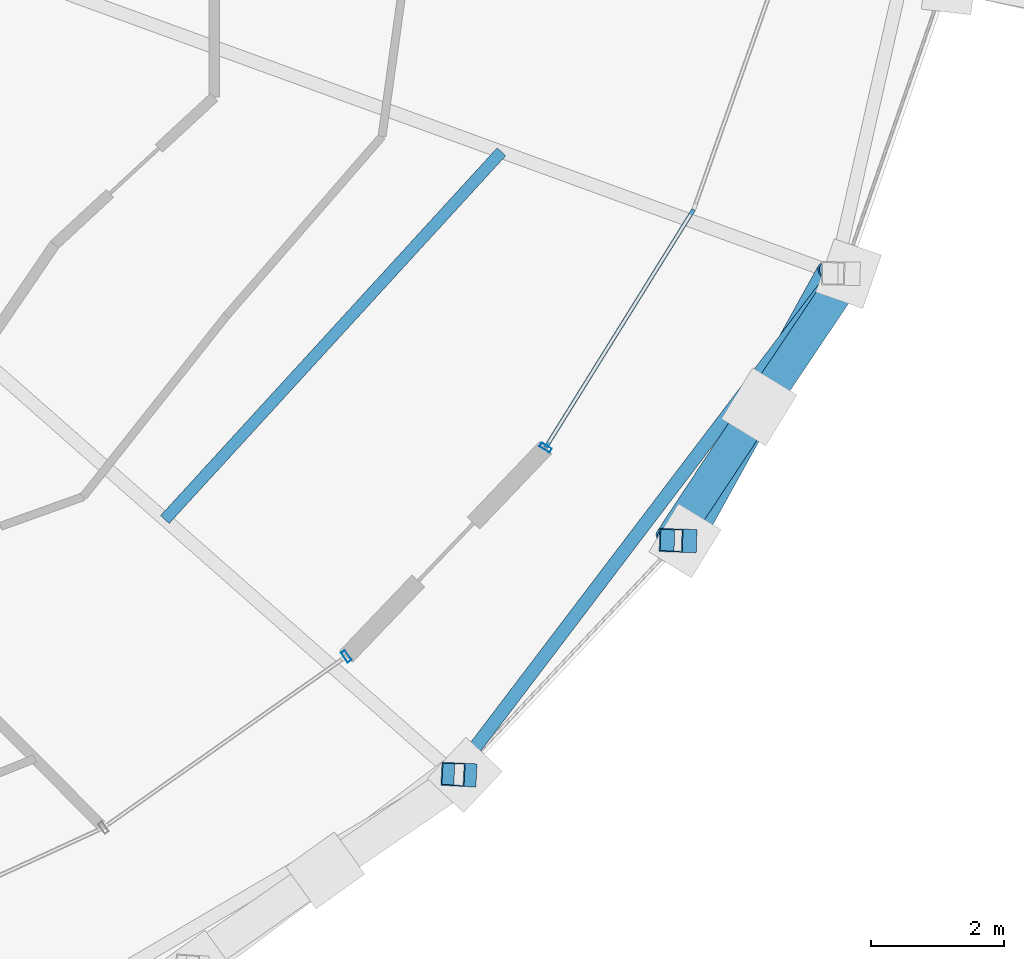
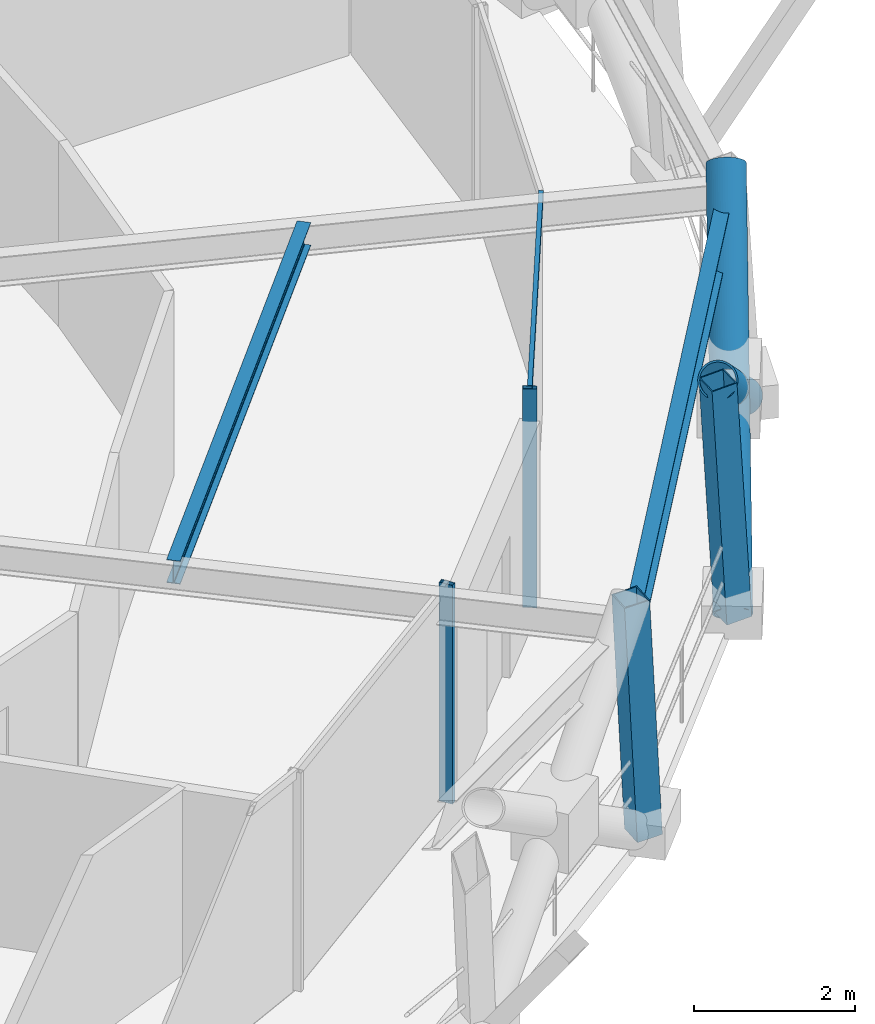
# One storey, part 6 of 17: 8 members, 2 beams, 2 elements without a shape of their own.
"""IFC4 building model written with IfcOpenShell, lengths in metres."""

import ifcopenshell
import ifcopenshell.guid

model = None  # the IFC model being written
_history = None  # IfcOwnerHistory: only IFC2X3 demands one
_inside = {}  # id of a spatial element -> (the spatial element, [elements in it])
_under = {}  # id of a project, library or spatial element -> (it, [spatial elements below it])
_declared = {}  # id of a project -> (the project, [libraries it declares])
_typed = {}  # id of a type object -> (the type object, [elements of that type])
_made_of = {}  # id of a material, layer set ... -> (it, [elements and type objects made of it])


def new_model(schema):
    """Start an empty IFC model of exactly this schema.

    Asked for "IFC4X3", IfcOpenShell would pick the latest addendum, in which some entities
    have other attributes; the version numbers below select the first issue.
    IFC2X3 requires an IfcOwnerHistory on every rooted entity: one is made here for all.
    """
    global model, _history
    if schema == "IFC4X3":
        model = ifcopenshell.file(schema_version=(4, 3, 0, 0))
    else:
        model = ifcopenshell.file(schema=schema)
    _inside.clear()
    _under.clear()
    _declared.clear()
    _typed.clear()
    _made_of.clear()
    _history = None
    if model.schema == "IFC2X3":
        org = make("IfcOrganization", Name="unknown")
        user = make(
            "IfcPersonAndOrganization",
            ThePerson=make("IfcPerson", FamilyName="unknown"),
            TheOrganization=org,
        )
        app = make(
            "IfcApplication",
            ApplicationDeveloper=org,
            Version="unknown",
            ApplicationFullName="unknown",
            ApplicationIdentifier="unknown",
        )
        _history = make(
            "IfcOwnerHistory",
            OwningUser=user,
            OwningApplication=app,
            ChangeAction="ADDED",
            CreationDate=0,
        )
    return model


def make(cls, **values):
    """One entity of the class cls with the attributes given. An attribute that is None is left unset."""
    return model.create_entity(
        cls, **{name: value for name, value in values.items() if value is not None}
    )


def rooted(cls, **values):
    """An entity with a GlobalId (a new one), such as an element, a storey or a relation."""
    return make(cls, GlobalId=ifcopenshell.guid.new(), OwnerHistory=_history, **values)


def si_unit(unit_type, name, prefix=None):
    """IfcSIUnit, for example si_unit("LENGTHUNIT", "METRE", prefix="MILLI")."""
    return make("IfcSIUnit", UnitType=unit_type, Prefix=prefix, Name=name)


def assignment(units):
    """IfcUnitAssignment: the units of a project."""
    return None if units is None else make("IfcUnitAssignment", Units=units)


def point(xyz):
    """IfcCartesianPoint."""
    return None if xyz is None else make("IfcCartesianPoint", Coordinates=xyz)


def direction(xyz):
    """IfcDirection."""
    return None if xyz is None else make("IfcDirection", DirectionRatios=xyz)


def frame(location, z_axis=None, x_axis=None):
    """IfcAxis2Placement3D, a coordinate frame: its origin and axes. An axis left out is left unset."""
    return make(
        "IfcAxis2Placement3D",
        Location=point(location),
        Axis=direction(z_axis),
        RefDirection=direction(x_axis),
    )


def frame_2d(location, x_axis=None):
    """IfcAxis2Placement2D, a coordinate frame in the plane: its origin and x axis."""
    return make(
        "IfcAxis2Placement2D", Location=point(location), RefDirection=direction(x_axis)
    )


def origin():
    """The frame at (0, 0, 0) with its axes left unset."""
    return frame((0.0, 0.0, 0.0))


def origin_2d():
    """The frame at (0, 0) in the plane with its x axis left unset."""
    return frame_2d((0.0, 0.0))


def place(relative_to, where):
    """IfcLocalPlacement: puts the frame where relative to a parent placement (None: the world)."""
    return make(
        "IfcLocalPlacement", PlacementRelTo=relative_to, RelativePlacement=where
    )


def context(
    kind, dimensions, precision=None, world=None, true_north=None, identifier=None
):
    """IfcGeometricRepresentationContext, for example the 3D "Model" context."""
    return make(
        "IfcGeometricRepresentationContext",
        ContextIdentifier=identifier,
        ContextType=kind,
        CoordinateSpaceDimension=dimensions,
        Precision=precision,
        WorldCoordinateSystem=world,
        TrueNorth=true_north,
    )


def subcontext(parent, identifier, kind, view, scale=None):
    """IfcGeometricRepresentationSubContext, for example "Body" below "Model"."""
    return make(
        "IfcGeometricRepresentationSubContext",
        ContextIdentifier=identifier,
        ContextType=kind,
        ParentContext=parent,
        TargetScale=scale,
        TargetView=view,
    )


def project(units=None, contexts=None):
    """IfcProject with its units and contexts."""
    return rooted(
        "IfcProject",
        Name="project",
        RepresentationContexts=contexts,
        UnitsInContext=assignment(units),
    )


def spatial(cls, under=None, at=None, **own):
    """A site, building, storey or space (cls), placed at a placement, below another one or the project."""
    s = rooted(cls, ObjectPlacement=at, **own)
    if under is not None:
        _under.setdefault(under.id(), (under, []))[1].append(s)
    return s


def profile(cls, at=None, kind="AREA", **sizes):
    """A parametric profile (cls). Its sizes go by their IFC names, for example OverallWidth=200.0."""
    return make(cls, ProfileType=kind, Position=at, **sizes)


def hollow_rectangle(**sizes):
    """IfcRectangleHollowProfileDef."""
    return profile("IfcRectangleHollowProfileDef", **sizes)


def hollow_circle(**sizes):
    """IfcCircleHollowProfileDef."""
    return profile("IfcCircleHollowProfileDef", **sizes)


def i_section(**sizes):
    """IfcIShapeProfileDef."""
    return profile("IfcIShapeProfileDef", **sizes)


def extrude(swept, where, along, depth):
    """IfcExtrudedAreaSolid: the profile swept, set in the frame where, extruded along a direction by depth."""
    return make(
        "IfcExtrudedAreaSolid",
        SweptArea=swept,
        Position=where,
        ExtrudedDirection=direction(along),
        Depth=depth,
    )


def shape(context_of_items, identifier, shape_type, items):
    """IfcShapeRepresentation: the items that make up one representation, for example the "Body"."""
    return make(
        "IfcShapeRepresentation",
        ContextOfItems=context_of_items,
        RepresentationIdentifier=identifier,
        RepresentationType=shape_type,
        Items=items,
    )


def material(Name=None, Category=None):
    """IfcMaterial."""
    return make("IfcMaterial", Name=Name, Category=Category)


def layer(
    of_material, thickness, ventilated=None, Name=None, Category=None, Priority=None
):
    """IfcMaterialLayer: one layer of a wall or slab, of a material (None: an air gap)."""
    return make(
        "IfcMaterialLayer",
        Material=of_material,
        LayerThickness=thickness,
        IsVentilated=ventilated,
        Name=Name,
        Category=Category,
        Priority=Priority,
    )


def layer_set(layers, Name=None):
    """IfcMaterialLayerSet."""
    return make("IfcMaterialLayerSet", MaterialLayers=layers, LayerSetName=Name)


def material_profile(
    of_material, cross_section, Name=None, Category=None, Priority=None
):
    """IfcMaterialProfile: a cross section and its material."""
    return make(
        "IfcMaterialProfile",
        Name=Name,
        Material=of_material,
        Profile=cross_section,
        Priority=Priority,
        Category=Category,
    )


def profile_set(profiles, Name=None, composite=None):
    """IfcMaterialProfileSet."""
    return make(
        "IfcMaterialProfileSet",
        Name=Name,
        MaterialProfiles=profiles,
        CompositeProfile=composite,
    )


def made_of(thing, what):
    """Note that an element or type object is made of a material, layer set ...; save() writes the relation."""
    if what is not None:
        _made_of.setdefault(what.id(), (what, []))[1].append(thing)
    return thing


def type_object(cls, material=None, **own):
    """A type object (cls), such as IfcWallType, which elements share."""
    return made_of(rooted(cls, **own), material)


def element(
    cls,
    number,
    at=None,
    inside=None,
    cuts=None,
    type_object=None,
    material=None,
    context=None,
    identifier="Body",
    shape_type=None,
    held_by="IfcProductDefinitionShape",
    body=None,
    shapes=None,
    **own,
):
    """One element of the class cls, such as IfcWall. Its Tag is "e" and its number.

    at: its placement. inside: the storey or other place that contains it. cuts: it is an
    opening in that element (IfcRelVoidsElement). A single representation is given by context,
    identifier, shape_type and body (its items); several are given by shapes. held_by: the class
    of the entity that holds the representations. save() writes the other relations.
    """
    e = rooted(cls, Tag="e%d" % number, ObjectPlacement=at, **own)
    if body is not None:
        shapes = [shape(context, identifier, shape_type, body)]
    if shapes is not None:
        e.Representation = make(held_by, Representations=shapes)
    if inside is not None:
        _inside.setdefault(inside.id(), (inside, []))[1].append(e)
    if cuts is not None:
        rooted(
            "IfcRelVoidsElement", RelatingBuildingElement=cuts, RelatedOpeningElement=e
        )
    if type_object is not None:
        _typed.setdefault(type_object.id(), (type_object, []))[1].append(e)
    return made_of(e, material)


def aggregate(whole, parts):
    """IfcRelAggregates: a whole, such as a stair, and the parts it consists of."""
    return rooted("IfcRelAggregates", RelatingObject=whole, RelatedObjects=parts)


def save(model, path):
    """Write the relations noted so far, then the file.

    IfcRelAggregates (storeys below a building ...), IfcRelContainedInSpatialStructure (elements
    in a storey), IfcRelDefinesByType, IfcRelAssociatesMaterial and IfcRelDeclares: one each for
    every whole, place, type object, material and project.
    """
    for whole, parts in _under.values():
        aggregate(whole, parts)
    for where, things in _inside.values():
        rooted(
            "IfcRelContainedInSpatialStructure",
            RelatedElements=things,
            RelatingStructure=where,
        )
    for kind, things in _typed.values():
        rooted("IfcRelDefinesByType", RelatedObjects=things, RelatingType=kind)
    for what, things in _made_of.values():
        rooted("IfcRelAssociatesMaterial", RelatedObjects=things, RelatingMaterial=what)
    for by, libraries in _declared.values():
        rooted("IfcRelDeclares", RelatingContext=by, RelatedDefinitions=libraries)
    model.write(path)


model = new_model("IFC4")

# Units and contexts
model_context = context("Model", 3, precision=1e-05, world=origin(), true_north=direction((0.0, 1.0)))
body_context = subcontext(model_context, "Body", "Model", "MODEL_VIEW")
ifc_project = project(units=[si_unit("LENGTHUNIT", "METRE"), si_unit("AREAUNIT", "SQUARE_METRE"), si_unit("VOLUMEUNIT", "CUBIC_METRE"), si_unit("PLANEANGLEUNIT", "RADIAN"), si_unit("MASSUNIT", "GRAM", prefix="KILO")], contexts=[model_context])

# Site, building, storey
site_placement = place(None, origin())
site = spatial("IfcSite", under=ifc_project, at=site_placement, CompositionType="ELEMENT")
building_placement = place(site_placement, origin())
building = spatial("IfcBuilding", under=site, at=building_placement, Name="Veldorina Hangang Commons", CompositionType="ELEMENT")
storey_placement = place(building_placement, frame((0.0, 0.0, 196.39990234375)))
storey = spatial("IfcBuildingStorey", under=building, at=storey_placement, Name="L51", CompositionType="ELEMENT", Elevation=196.39990234375)

# Beams
ifc_material_1 = material(Name="Steel SM355-TMC", Category="steel")
ifc_material_profile_1 = material_profile(ifc_material_1, i_section(OverallWidth=0.175048828125, OverallDepth=0.35009765625, WebThickness=0.007080078125, FlangeThickness=0.010986328125, FilletRadius=0.012939453125, at=origin_2d()), Name="H-350x175x7x11")
ifc_profile_set_1 = profile_set([ifc_material_profile_1], Name="Steel SM355-TMC")
beam_type_1 = type_object("IfcBeamType", Name="BM-JST350", PredefinedType="JOIST", material=ifc_profile_set_1)
beam_1_placement = place(storey_placement, frame((46.307861328125, 11.4150390625, 3.175048828125), z_axis=(0.675159460548, 0.737671812415, 0.0), x_axis=(-0.737671812415, 0.675159460548, 0.0)))
element("IfcBeam", 1, at=beam_1_placement, inside=storey, type_object=beam_type_1, Name="L51 secondary floor joist 15", PredefinedType="JOIST", context=body_context, shape_type="SweptSolid", body=[
    extrude(i_section(OverallWidth=0.175048828125, OverallDepth=0.35009765625, WebThickness=0.007080078125, FlangeThickness=0.010986328125, FilletRadius=0.012939453125, at=origin_2d()), origin(), (0.0, 0.0, 1.0), 7.49462890625),
])
ifc_material_2 = material(Name="Steel SM420-TMC", Category="steel")
ifc_material_profile_2 = material_profile(ifc_material_2, i_section(OverallWidth=0.199951171875, OverallDepth=0.5, WebThickness=0.010009765625, FlangeThickness=0.01611328125, FilletRadius=0.01611328125, at=origin_2d()), Name="H-500x200x10x16")
ifc_profile_set_2 = profile_set([ifc_material_profile_2], Name="Steel SM420-TMC")
beam_type_2 = type_object("IfcBeamType", Name="BM-RB500", PredefinedType="BEAM", material=ifc_profile_set_2)
beam_2_placement = place(storey_placement, frame((50.664306640625, 7.583251953125, 3.10009765625), z_axis=(0.604923575038, 0.796283535158, 0.0), x_axis=(-0.796283535158, 0.604923575038, 0.0)))
element("IfcBeam", 2, at=beam_2_placement, inside=storey, type_object=beam_type_2, Name="L51 perimeter hoop ring beam 28", PredefinedType="BEAM", context=body_context, shape_type="SweptSolid", body=[
    extrude(i_section(OverallWidth=0.199951171875, OverallDepth=0.5, WebThickness=0.010009765625, FlangeThickness=0.01611328125, FilletRadius=0.01611328125, at=origin_2d()), origin(), (0.0, 0.0, 1.0), 9.458984375),
])

# Curtain wall, member
ifc_material_3 = material(Name="Glass Low-E Triple IGU", Category="glass")
ifc_layer = layer(ifc_material_3, 0.179931640625)
ifc_layer_set = layer_set([ifc_layer], Name="Glass Low-E Triple IGU")
curtain_wall_type = type_object("IfcCurtainWallType", Name="CW-SYS-Z2", PredefinedType="NOTDEFINED", material=ifc_layer_set)
curtain_wall_1_placement = place(storey_placement, origin())
curtain_wall_1 = element("IfcCurtainWall", 3, at=curtain_wall_1_placement, inside=storey, type_object=curtain_wall_type, Name="L51 unitised curtain wall CW-L51-R1", PredefinedType="NOTDEFINED")
ifc_material_4 = material(Name="Aluminium Anodized AA6063-T6", Category="aluminium")
ifc_material_profile_3 = material_profile(ifc_material_4, hollow_rectangle(XDim=0.070068359375, YDim=0.179931640625, WallThickness=0.00390625, at=origin_2d()), Name="ALU-RHS-180x70x4")
ifc_profile_set_3 = profile_set([ifc_material_profile_3], Name="Aluminium Anodized AA6063-T6")
member_type_1 = type_object("IfcMemberType", Name="CW-MUL-180", PredefinedType="MULLION", material=ifc_profile_set_3)
member_1_placement = place(storey_placement, frame((49.035400390625, 9.357666015625, 0.0), z_axis=(0.0, 0.0, 1.0), x_axis=(-0.817165019121, -0.576403792081, 0.0)))
member_1 = element("IfcMember", 4, at=member_1_placement, type_object=member_type_1, Name="CW-L51-R1 vertical mullion 4", PredefinedType="MULLION", context=body_context, shape_type="SweptSolid", body=[
    extrude(hollow_rectangle(XDim=0.070068359375, YDim=0.179931640625, WallThickness=0.00390625, at=origin_2d()), origin(), (0.0, 0.0, 1.0), 3.31005859375),
])
aggregate(curtain_wall_1, [member_1])

# Curtain wall, members
curtain_wall_2_placement = place(storey_placement, origin())
curtain_wall_2 = element("IfcCurtainWall", 5, at=curtain_wall_2_placement, inside=storey, type_object=curtain_wall_type, Name="L51 unitised curtain wall CW-L51-R2", PredefinedType="NOTDEFINED")
member_2_placement = place(storey_placement, frame((52.03173828125, 12.49560546875, 0.0), z_axis=(0.0, 0.0, 1.0), x_axis=(0.528082671944, 0.849192964875, 0.0)))
member_2 = element("IfcMember", 6, at=member_2_placement, type_object=member_type_1, Name="CW-L51-R2 vertical mullion 1", PredefinedType="MULLION", context=body_context, shape_type="SweptSolid", body=[
    extrude(hollow_rectangle(XDim=0.070068359375, YDim=0.179931640625, WallThickness=0.00390625, at=origin_2d()), origin(), (0.0, 0.0, 1.0), 3.31005859375),
])
ifc_material_profile_4 = material_profile(ifc_material_4, hollow_rectangle(XDim=0.06005859375, YDim=0.139892578125, WallThickness=0.00341796875, at=origin_2d()), Name="ALU-RHS-140x60x3.5")
ifc_profile_set_4 = profile_set([ifc_material_profile_4], Name="Aluminium Anodized AA6063-T6")
member_type_2 = type_object("IfcMemberType", Name="CW-TRN-140", PredefinedType="USERDEFINED", material=ifc_profile_set_4)
member_3_placement = place(storey_placement, frame((52.03173828125, 12.49560546875, 3.27001953125), z_axis=(0.528082000449, 0.849193382453, 0.0), x_axis=(-0.849193382453, 0.528082000449, 0.0)))
member_3 = element("IfcMember", 7, at=member_3_placement, type_object=member_type_2, Name="CW-L51-R2 facet 1 transom 1", ObjectType="TRANSOM", PredefinedType="USERDEFINED", context=body_context, shape_type="SweptSolid", body=[
    extrude(hollow_rectangle(XDim=0.06005859375, YDim=0.139892578125, WallThickness=0.00341796875, at=origin_2d()), origin(), (0.0, 0.0, 1.0), 4.2158203125),
])
aggregate(curtain_wall_2, [member_2, member_3])

# Members
ifc_material_profile_5 = material_profile(ifc_material_2, hollow_circle(Radius=0.25, WallThickness=0.02490234375, at=origin_2d()), Name="CHS-500x25")
ifc_profile_set_5 = profile_set([ifc_material_profile_5], Name="Steel SM420-TMC")
member_type_3 = type_object("IfcMemberType", Name="DG-CHS500", PredefinedType="BRACE", material=ifc_profile_set_5)
member_4_placement = place(storey_placement, frame((54.126953125, 11.095703125, 0.0), z_axis=(0.381470844558, 0.68862973003, 0.616659622216), x_axis=(-0.874750479977, 0.484573624725, 0.0)))
element("IfcMember", 8, at=member_4_placement, inside=storey, type_object=member_type_3, Name="L51 continuous perimeter diagrid brace 29", PredefinedType="BRACE", context=body_context, shape_type="SweptSolid", body=[
    extrude(hollow_circle(Radius=0.25, WallThickness=0.02490234375, at=origin_2d()), origin(), (0.0, 0.0, 1.0), 5.838134765625),
])
member_5_placement = place(storey_placement, frame((56.586181640625, 15.111328125, 0.0), z_axis=(-0.446341699194, -0.66509372543, 0.598689756013), x_axis=(0.830348932542, -0.557243797835, 0.0)))
element("IfcMember", 9, at=member_5_placement, inside=storey, type_object=member_type_3, Name="L51 split perimeter diagrid lower brace 30", PredefinedType="BRACE", context=body_context, shape_type="SweptSolid", body=[
    extrude(hollow_circle(Radius=0.25, WallThickness=0.02490234375, at=origin_2d()), origin(), (0.0, 0.0, 1.0), 3.01123046875),
])
member_6_placement = place(storey_placement, frame((55.2421875, 13.108642578125, 1.802734375), z_axis=(-0.441173445855, -0.668429826334, 0.598805108478), x_axis=(0.834603803708, -0.550850697409, 0.0)))
element("IfcMember", 10, at=member_6_placement, inside=storey, type_object=member_type_3, Name="L51 split perimeter diagrid upper brace 30", PredefinedType="BRACE", context=body_context, shape_type="SweptSolid", body=[
    extrude(hollow_circle(Radius=0.25, WallThickness=0.02490234375, at=origin_2d()), origin(), (0.0, 0.0, 1.0), 3.00146484375),
])
ifc_material_profile_6 = material_profile(ifc_material_1, hollow_rectangle(XDim=0.35009765625, YDim=0.35009765625, WallThickness=0.01611328125, at=origin_2d()), Name="SHS-350x350x16")
ifc_profile_set_6 = profile_set([ifc_material_profile_6], Name="Steel SM355-TMC")
member_type_4 = type_object("IfcMemberType", Name="STR-SHS350", PredefinedType="STRUT", material=ifc_profile_set_6)
member_7_placement = place(storey_placement, frame((50.8173828125, 7.57568359375, 0.0), z_axis=(-0.049309119006, 0.002438363028, 0.998780589103), x_axis=(-0.049390197994, -0.998779559433, 0.0)))
element("IfcMember", 11, at=member_7_placement, inside=storey, type_object=member_type_4, Name="L51 perimeter ring node post 28", PredefinedType="STRUT", context=body_context, shape_type="SweptSolid", body=[
    extrude(hollow_rectangle(XDim=0.35009765625, YDim=0.35009765625, WallThickness=0.01611328125, at=origin_2d()), origin(), (0.0, 0.0, 1.0), 3.6044921875),
])
member_8_placement = place(storey_placement, frame((54.126953125, 11.095703125, 0.0), z_axis=(-0.057951983558, 0.001827924715, 0.998317698077), x_axis=(-0.031526377157, -0.999502920228, 0.0)))
element("IfcMember", 12, at=member_8_placement, inside=storey, type_object=member_type_4, Name="L51 perimeter ring node post 29", PredefinedType="STRUT", context=body_context, shape_type="SweptSolid", body=[
    extrude(hollow_rectangle(XDim=0.35009765625, YDim=0.35009765625, WallThickness=0.01611328125, at=origin_2d()), origin(), (0.0, 0.0, 1.0), 3.606201171875),
])

save(model, "model.ifc")
